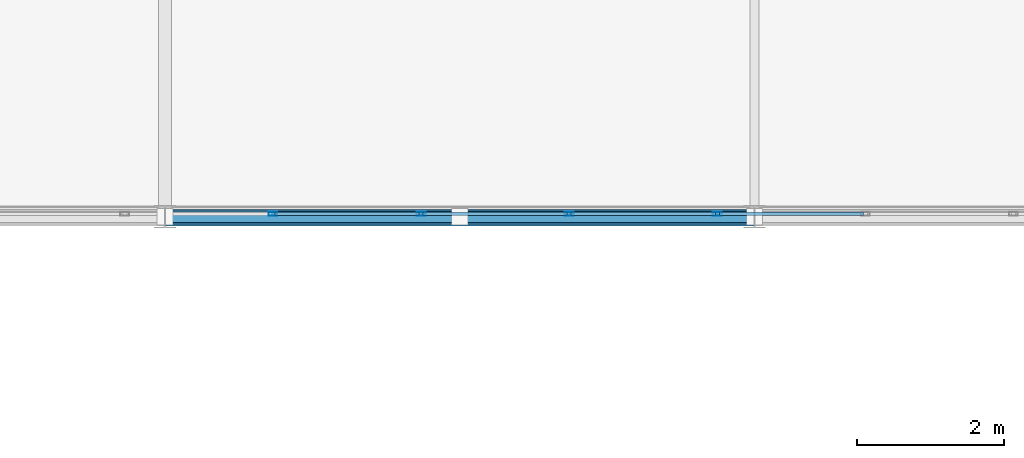
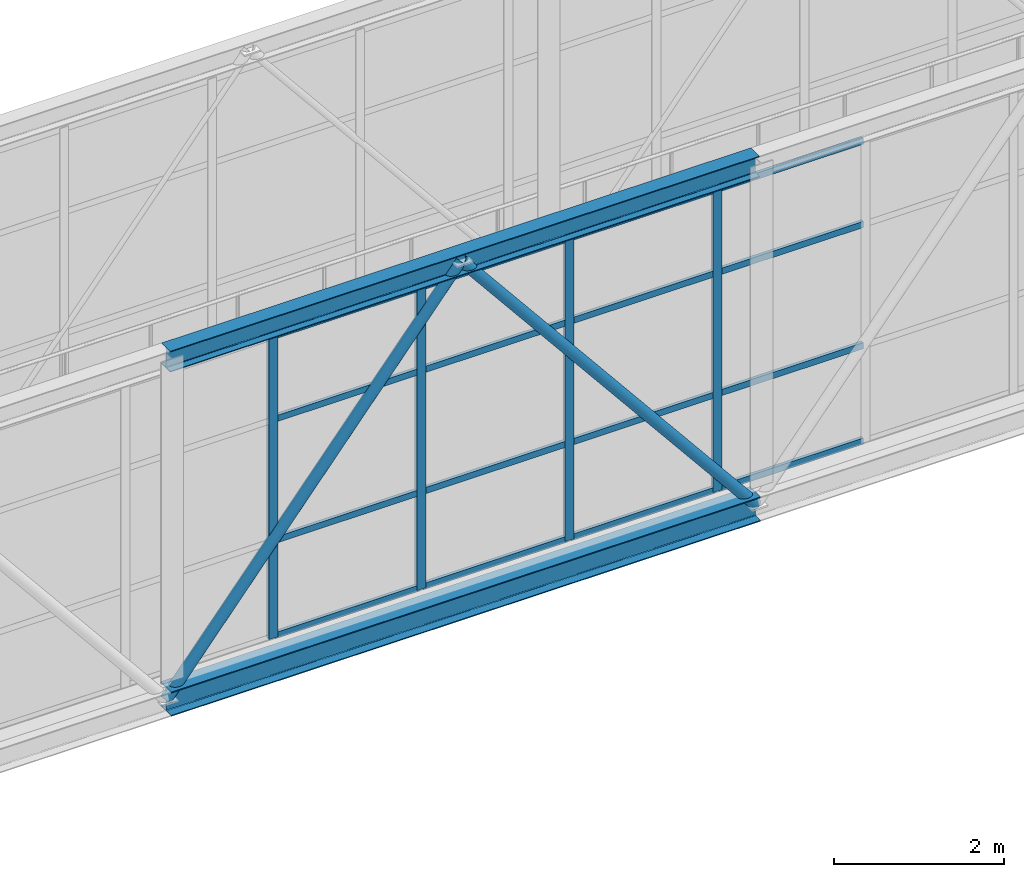
# One storey, part 89 of 248: 24 members, 1 element without a shape of its own.
"""IFC4 building model written with IfcOpenShell, lengths in metres."""

import ifcopenshell
import ifcopenshell.guid

model = None  # the IFC model being written
_history = None  # IfcOwnerHistory: only IFC2X3 demands one
_inside = {}  # id of a spatial element -> (the spatial element, [elements in it])
_under = {}  # id of a project, library or spatial element -> (it, [spatial elements below it])
_declared = {}  # id of a project -> (the project, [libraries it declares])
_typed = {}  # id of a type object -> (the type object, [elements of that type])
_made_of = {}  # id of a material, layer set ... -> (it, [elements and type objects made of it])


def new_model(schema):
    """Start an empty IFC model of exactly this schema.

    Asked for "IFC4X3", IfcOpenShell would pick the latest addendum, in which some entities
    have other attributes; the version numbers below select the first issue.
    IFC2X3 requires an IfcOwnerHistory on every rooted entity: one is made here for all.
    """
    global model, _history
    if schema == "IFC4X3":
        model = ifcopenshell.file(schema_version=(4, 3, 0, 0))
    else:
        model = ifcopenshell.file(schema=schema)
    _inside.clear()
    _under.clear()
    _declared.clear()
    _typed.clear()
    _made_of.clear()
    _history = None
    if model.schema == "IFC2X3":
        org = make("IfcOrganization", Name="unknown")
        user = make(
            "IfcPersonAndOrganization",
            ThePerson=make("IfcPerson", FamilyName="unknown"),
            TheOrganization=org,
        )
        app = make(
            "IfcApplication",
            ApplicationDeveloper=org,
            Version="unknown",
            ApplicationFullName="unknown",
            ApplicationIdentifier="unknown",
        )
        _history = make(
            "IfcOwnerHistory",
            OwningUser=user,
            OwningApplication=app,
            ChangeAction="ADDED",
            CreationDate=0,
        )
    return model


def make(cls, **values):
    """One entity of the class cls with the attributes given. An attribute that is None is left unset."""
    return model.create_entity(
        cls, **{name: value for name, value in values.items() if value is not None}
    )


def rooted(cls, **values):
    """An entity with a GlobalId (a new one), such as an element, a storey or a relation."""
    return make(cls, GlobalId=ifcopenshell.guid.new(), OwnerHistory=_history, **values)


def si_unit(unit_type, name, prefix=None):
    """IfcSIUnit, for example si_unit("LENGTHUNIT", "METRE", prefix="MILLI")."""
    return make("IfcSIUnit", UnitType=unit_type, Prefix=prefix, Name=name)


def assignment(units):
    """IfcUnitAssignment: the units of a project."""
    return None if units is None else make("IfcUnitAssignment", Units=units)


def point(xyz):
    """IfcCartesianPoint."""
    return None if xyz is None else make("IfcCartesianPoint", Coordinates=xyz)


def direction(xyz):
    """IfcDirection."""
    return None if xyz is None else make("IfcDirection", DirectionRatios=xyz)


def frame(location, z_axis=None, x_axis=None):
    """IfcAxis2Placement3D, a coordinate frame: its origin and axes. An axis left out is left unset."""
    return make(
        "IfcAxis2Placement3D",
        Location=point(location),
        Axis=direction(z_axis),
        RefDirection=direction(x_axis),
    )


def frame_2d(location, x_axis=None):
    """IfcAxis2Placement2D, a coordinate frame in the plane: its origin and x axis."""
    return make(
        "IfcAxis2Placement2D", Location=point(location), RefDirection=direction(x_axis)
    )


def origin():
    """The frame at (0, 0, 0) with its axes left unset."""
    return frame((0.0, 0.0, 0.0))


def origin_2d():
    """The frame at (0, 0) in the plane with its x axis left unset."""
    return frame_2d((0.0, 0.0))


def place(relative_to, where):
    """IfcLocalPlacement: puts the frame where relative to a parent placement (None: the world)."""
    return make(
        "IfcLocalPlacement", PlacementRelTo=relative_to, RelativePlacement=where
    )


def context(
    kind, dimensions, precision=None, world=None, true_north=None, identifier=None
):
    """IfcGeometricRepresentationContext, for example the 3D "Model" context."""
    return make(
        "IfcGeometricRepresentationContext",
        ContextIdentifier=identifier,
        ContextType=kind,
        CoordinateSpaceDimension=dimensions,
        Precision=precision,
        WorldCoordinateSystem=world,
        TrueNorth=true_north,
    )


def subcontext(parent, identifier, kind, view, scale=None):
    """IfcGeometricRepresentationSubContext, for example "Body" below "Model"."""
    return make(
        "IfcGeometricRepresentationSubContext",
        ContextIdentifier=identifier,
        ContextType=kind,
        ParentContext=parent,
        TargetScale=scale,
        TargetView=view,
    )


def project(units=None, contexts=None):
    """IfcProject with its units and contexts."""
    return rooted(
        "IfcProject",
        Name="project",
        RepresentationContexts=contexts,
        UnitsInContext=assignment(units),
    )


def spatial(cls, under=None, at=None, **own):
    """A site, building, storey or space (cls), placed at a placement, below another one or the project."""
    s = rooted(cls, ObjectPlacement=at, **own)
    if under is not None:
        _under.setdefault(under.id(), (under, []))[1].append(s)
    return s


def profile(cls, at=None, kind="AREA", **sizes):
    """A parametric profile (cls). Its sizes go by their IFC names, for example OverallWidth=200.0."""
    return make(cls, ProfileType=kind, Position=at, **sizes)


def hollow_rectangle(**sizes):
    """IfcRectangleHollowProfileDef."""
    return profile("IfcRectangleHollowProfileDef", **sizes)


def hollow_circle(**sizes):
    """IfcCircleHollowProfileDef."""
    return profile("IfcCircleHollowProfileDef", **sizes)


def i_section(**sizes):
    """IfcIShapeProfileDef."""
    return profile("IfcIShapeProfileDef", **sizes)


def extrude(swept, where, along, depth):
    """IfcExtrudedAreaSolid: the profile swept, set in the frame where, extruded along a direction by depth."""
    return make(
        "IfcExtrudedAreaSolid",
        SweptArea=swept,
        Position=where,
        ExtrudedDirection=direction(along),
        Depth=depth,
    )


def shape(context_of_items, identifier, shape_type, items):
    """IfcShapeRepresentation: the items that make up one representation, for example the "Body"."""
    return make(
        "IfcShapeRepresentation",
        ContextOfItems=context_of_items,
        RepresentationIdentifier=identifier,
        RepresentationType=shape_type,
        Items=items,
    )


def material(Name=None, Category=None):
    """IfcMaterial."""
    return make("IfcMaterial", Name=Name, Category=Category)


def layer(
    of_material, thickness, ventilated=None, Name=None, Category=None, Priority=None
):
    """IfcMaterialLayer: one layer of a wall or slab, of a material (None: an air gap)."""
    return make(
        "IfcMaterialLayer",
        Material=of_material,
        LayerThickness=thickness,
        IsVentilated=ventilated,
        Name=Name,
        Category=Category,
        Priority=Priority,
    )


def layer_set(layers, Name=None):
    """IfcMaterialLayerSet."""
    return make("IfcMaterialLayerSet", MaterialLayers=layers, LayerSetName=Name)


def material_profile(
    of_material, cross_section, Name=None, Category=None, Priority=None
):
    """IfcMaterialProfile: a cross section and its material."""
    return make(
        "IfcMaterialProfile",
        Name=Name,
        Material=of_material,
        Profile=cross_section,
        Priority=Priority,
        Category=Category,
    )


def profile_set(profiles, Name=None, composite=None):
    """IfcMaterialProfileSet."""
    return make(
        "IfcMaterialProfileSet",
        Name=Name,
        MaterialProfiles=profiles,
        CompositeProfile=composite,
    )


def made_of(thing, what):
    """Note that an element or type object is made of a material, layer set ...; save() writes the relation."""
    if what is not None:
        _made_of.setdefault(what.id(), (what, []))[1].append(thing)
    return thing


def type_object(cls, material=None, **own):
    """A type object (cls), such as IfcWallType, which elements share."""
    return made_of(rooted(cls, **own), material)


def element(
    cls,
    number,
    at=None,
    inside=None,
    cuts=None,
    type_object=None,
    material=None,
    context=None,
    identifier="Body",
    shape_type=None,
    held_by="IfcProductDefinitionShape",
    body=None,
    shapes=None,
    **own,
):
    """One element of the class cls, such as IfcWall. Its Tag is "e" and its number.

    at: its placement. inside: the storey or other place that contains it. cuts: it is an
    opening in that element (IfcRelVoidsElement). A single representation is given by context,
    identifier, shape_type and body (its items); several are given by shapes. held_by: the class
    of the entity that holds the representations. save() writes the other relations.
    """
    e = rooted(cls, Tag="e%d" % number, ObjectPlacement=at, **own)
    if body is not None:
        shapes = [shape(context, identifier, shape_type, body)]
    if shapes is not None:
        e.Representation = make(held_by, Representations=shapes)
    if inside is not None:
        _inside.setdefault(inside.id(), (inside, []))[1].append(e)
    if cuts is not None:
        rooted(
            "IfcRelVoidsElement", RelatingBuildingElement=cuts, RelatedOpeningElement=e
        )
    if type_object is not None:
        _typed.setdefault(type_object.id(), (type_object, []))[1].append(e)
    return made_of(e, material)


def aggregate(whole, parts):
    """IfcRelAggregates: a whole, such as a stair, and the parts it consists of."""
    return rooted("IfcRelAggregates", RelatingObject=whole, RelatedObjects=parts)


def save(model, path):
    """Write the relations noted so far, then the file.

    IfcRelAggregates (storeys below a building ...), IfcRelContainedInSpatialStructure (elements
    in a storey), IfcRelDefinesByType, IfcRelAssociatesMaterial and IfcRelDeclares: one each for
    every whole, place, type object, material and project.
    """
    for whole, parts in _under.values():
        aggregate(whole, parts)
    for where, things in _inside.values():
        rooted(
            "IfcRelContainedInSpatialStructure",
            RelatedElements=things,
            RelatingStructure=where,
        )
    for kind, things in _typed.values():
        rooted("IfcRelDefinesByType", RelatedObjects=things, RelatingType=kind)
    for what, things in _made_of.values():
        rooted("IfcRelAssociatesMaterial", RelatedObjects=things, RelatingMaterial=what)
    for by, libraries in _declared.values():
        rooted("IfcRelDeclares", RelatingContext=by, RelatedDefinitions=libraries)
    model.write(path)


model = new_model("IFC4")

# Units and contexts
model_context = context("Model", 3, precision=1e-05, world=origin(), true_north=direction((0.0, 1.0)))
body_context = subcontext(model_context, "Body", "Model", "MODEL_VIEW")
ifc_project = project(units=[si_unit("LENGTHUNIT", "METRE"), si_unit("AREAUNIT", "SQUARE_METRE"), si_unit("VOLUMEUNIT", "CUBIC_METRE"), si_unit("PLANEANGLEUNIT", "RADIAN"), si_unit("MASSUNIT", "GRAM", prefix="KILO")], contexts=[model_context])

# Site, building, storey
site_placement = place(None, origin())
site = spatial("IfcSite", under=ifc_project, at=site_placement, CompositionType="ELEMENT")
building_placement = place(site_placement, origin())
building = spatial("IfcBuilding", under=site, at=building_placement, Name="Canggui Botanical Conservatory", CompositionType="ELEMENT")
storey_placement = place(building_placement, frame((0.0, 0.0, 5.39990234375)))
storey = spatial("IfcBuildingStorey", under=building, at=storey_placement, Name="L02", CompositionType="ELEMENT", Elevation=5.39990234375)

# Curtain wall, members
ifc_material_1 = material(Name="Thermally Broken Aluminium", Category="aluminium")
ifc_layer = layer(ifc_material_1, 0.1201171875, Name="Thermally Broken Aluminium", Category="aluminium")
ifc_layer_set = layer_set([ifc_layer], Name="Thermally Broken Aluminium")
curtain_wall_type = type_object("IfcCurtainWallType", Name="CW-STICK-B", PredefinedType="USERDEFINED", material=ifc_layer_set)
curtain_wall_placement = place(storey_placement, origin())
curtain_wall = element("IfcCurtainWall", 1, at=curtain_wall_placement, inside=storey, type_object=curtain_wall_type, Name="Facade Curtain Wall CW-SB-01-1", ObjectType="STICK GLAZED WALL", PredefinedType="USERDEFINED")
ifc_material_profile_1 = material_profile(ifc_material_1, hollow_rectangle(XDim=0.054931640625, YDim=0.1201171875, WallThickness=0.0029296875, at=origin_2d()), Name="CWM 55x120x3")
ifc_profile_set_1 = profile_set([ifc_material_profile_1], Name="Thermally Broken Aluminium")
member_type_1 = type_object("IfcMemberType", Name="CWM-05", PredefinedType="MULLION", material=ifc_profile_set_1)
member_1_placement = place(storey_placement, frame((90.966064453125, 26.0400390625, 0.0), z_axis=(0.0, 0.0, 1.0), x_axis=(0.0, 1.0, 0.0)))
member_1 = element("IfcMember", 2, at=member_1_placement, type_object=member_type_1, Name="CW-05 mullion 13", PredefinedType="MULLION", context=body_context, shape_type="SweptSolid", body=[
    extrude(hollow_rectangle(XDim=0.054931640625, YDim=0.1201171875, WallThickness=0.0029296875, at=origin_2d()), origin(), (0.0, 0.0, 1.0), 4.35009765625),
])
member_2_placement = place(storey_placement, frame((92.975830078125, 26.0400390625, 0.0), z_axis=(0.0, 0.0, 1.0), x_axis=(0.0, 1.0, 0.0)))
member_2 = element("IfcMember", 3, at=member_2_placement, type_object=member_type_1, Name="CW-05 mullion 14", PredefinedType="MULLION", context=body_context, shape_type="SweptSolid", body=[
    extrude(hollow_rectangle(XDim=0.054931640625, YDim=0.1201171875, WallThickness=0.0029296875, at=origin_2d()), origin(), (0.0, 0.0, 1.0), 4.35009765625),
])
member_3_placement = place(storey_placement, frame((94.985595703125, 26.0400390625, 0.0), z_axis=(0.0, 0.0, 1.0), x_axis=(0.0, 1.0, 0.0)))
member_3 = element("IfcMember", 4, at=member_3_placement, type_object=member_type_1, Name="CW-05 mullion 15", PredefinedType="MULLION", context=body_context, shape_type="SweptSolid", body=[
    extrude(hollow_rectangle(XDim=0.054931640625, YDim=0.1201171875, WallThickness=0.0029296875, at=origin_2d()), origin(), (0.0, 0.0, 1.0), 4.35009765625),
])
member_4_placement = place(storey_placement, frame((96.9951171875, 26.0400390625, 0.0), z_axis=(0.0, 0.0, 1.0), x_axis=(0.0, 1.0, 0.0)))
member_4 = element("IfcMember", 5, at=member_4_placement, type_object=member_type_1, Name="CW-05 mullion 16", PredefinedType="MULLION", context=body_context, shape_type="SweptSolid", body=[
    extrude(hollow_rectangle(XDim=0.054931640625, YDim=0.1201171875, WallThickness=0.0029296875, at=origin_2d()), origin(), (0.0, 0.0, 1.0), 4.35009765625),
])
ifc_material_profile_2 = material_profile(ifc_material_1, hollow_rectangle(XDim=0.044921875, YDim=0.090087890625, WallThickness=0.0029296875, at=origin_2d()), Name="CWT 45x90x3")
ifc_profile_set_2 = profile_set([ifc_material_profile_2], Name="Thermally Broken Aluminium")
member_type_2 = type_object("IfcMemberType", Name="CWT-05", PredefinedType="USERDEFINED", material=ifc_profile_set_2)
member_5_placement = place(storey_placement, frame((90.99365234375, 26.0400390625, 0.022705078125), z_axis=(1.0, 0.0, 0.0), x_axis=(0.0, 1.0, 0.0)))
member_5 = element("IfcMember", 6, at=member_5_placement, type_object=member_type_2, Name="CW-05 transom 13.1", ObjectType="TRANSOM", PredefinedType="USERDEFINED", context=body_context, shape_type="SweptSolid", body=[
    extrude(hollow_rectangle(XDim=0.044921875, YDim=0.090087890625, WallThickness=0.0029296875, at=origin_2d()), origin(), (0.0, 0.0, 1.0), 1.95458984375),
])
member_6_placement = place(storey_placement, frame((90.99365234375, 26.0400390625, 1.39208984375), z_axis=(1.0, 0.0, 0.0), x_axis=(0.0, 1.0, 0.0)))
member_6 = element("IfcMember", 7, at=member_6_placement, type_object=member_type_2, Name="CW-05 transom 13.2", ObjectType="TRANSOM", PredefinedType="USERDEFINED", context=body_context, shape_type="SweptSolid", body=[
    extrude(hollow_rectangle(XDim=0.044921875, YDim=0.090087890625, WallThickness=0.0029296875, at=origin_2d()), origin(), (0.0, 0.0, 1.0), 1.95458984375),
])
member_7_placement = place(storey_placement, frame((90.99365234375, 26.0400390625, 3.132080078125), z_axis=(1.0, 0.0, 0.0), x_axis=(0.0, 1.0, 0.0)))
member_7 = element("IfcMember", 8, at=member_7_placement, type_object=member_type_2, Name="CW-05 transom 13.3", ObjectType="TRANSOM", PredefinedType="USERDEFINED", context=body_context, shape_type="SweptSolid", body=[
    extrude(hollow_rectangle(XDim=0.044921875, YDim=0.090087890625, WallThickness=0.0029296875, at=origin_2d()), origin(), (0.0, 0.0, 1.0), 1.95458984375),
])
member_8_placement = place(storey_placement, frame((90.99365234375, 26.0400390625, 4.32763671875), z_axis=(1.0, 0.0, 0.0), x_axis=(0.0, 1.0, 0.0)))
member_8 = element("IfcMember", 9, at=member_8_placement, type_object=member_type_2, Name="CW-05 transom 13.4", ObjectType="TRANSOM", PredefinedType="USERDEFINED", context=body_context, shape_type="SweptSolid", body=[
    extrude(hollow_rectangle(XDim=0.044921875, YDim=0.090087890625, WallThickness=0.0029296875, at=origin_2d()), origin(), (0.0, 0.0, 1.0), 1.95458984375),
])
member_9_placement = place(storey_placement, frame((93.00341796875, 26.0400390625, 0.022705078125), z_axis=(1.0, 0.0, 0.0), x_axis=(0.0, 1.0, 0.0)))
member_9 = element("IfcMember", 10, at=member_9_placement, type_object=member_type_2, Name="CW-05 transom 14.1", ObjectType="TRANSOM", PredefinedType="USERDEFINED", context=body_context, shape_type="SweptSolid", body=[
    extrude(hollow_rectangle(XDim=0.044921875, YDim=0.090087890625, WallThickness=0.0029296875, at=origin_2d()), origin(), (0.0, 0.0, 1.0), 1.95458984375),
])
member_10_placement = place(storey_placement, frame((93.00341796875, 26.0400390625, 1.39208984375), z_axis=(1.0, 0.0, 0.0), x_axis=(0.0, 1.0, 0.0)))
member_10 = element("IfcMember", 11, at=member_10_placement, type_object=member_type_2, Name="CW-05 transom 14.2", ObjectType="TRANSOM", PredefinedType="USERDEFINED", context=body_context, shape_type="SweptSolid", body=[
    extrude(hollow_rectangle(XDim=0.044921875, YDim=0.090087890625, WallThickness=0.0029296875, at=origin_2d()), origin(), (0.0, 0.0, 1.0), 1.95458984375),
])
member_11_placement = place(storey_placement, frame((93.00341796875, 26.0400390625, 3.132080078125), z_axis=(1.0, 0.0, 0.0), x_axis=(0.0, 1.0, 0.0)))
member_11 = element("IfcMember", 12, at=member_11_placement, type_object=member_type_2, Name="CW-05 transom 14.3", ObjectType="TRANSOM", PredefinedType="USERDEFINED", context=body_context, shape_type="SweptSolid", body=[
    extrude(hollow_rectangle(XDim=0.044921875, YDim=0.090087890625, WallThickness=0.0029296875, at=origin_2d()), origin(), (0.0, 0.0, 1.0), 1.95458984375),
])
member_12_placement = place(storey_placement, frame((93.00341796875, 26.0400390625, 4.32763671875), z_axis=(1.0, 0.0, 0.0), x_axis=(0.0, 1.0, 0.0)))
member_12 = element("IfcMember", 13, at=member_12_placement, type_object=member_type_2, Name="CW-05 transom 14.4", ObjectType="TRANSOM", PredefinedType="USERDEFINED", context=body_context, shape_type="SweptSolid", body=[
    extrude(hollow_rectangle(XDim=0.044921875, YDim=0.090087890625, WallThickness=0.0029296875, at=origin_2d()), origin(), (0.0, 0.0, 1.0), 1.95458984375),
])
member_13_placement = place(storey_placement, frame((95.012939453125, 26.0400390625, 0.022705078125), z_axis=(1.0, 0.0, 0.0), x_axis=(0.0, 1.0, 0.0)))
member_13 = element("IfcMember", 14, at=member_13_placement, type_object=member_type_2, Name="CW-05 transom 15.1", ObjectType="TRANSOM", PredefinedType="USERDEFINED", context=body_context, shape_type="SweptSolid", body=[
    extrude(hollow_rectangle(XDim=0.044921875, YDim=0.090087890625, WallThickness=0.0029296875, at=origin_2d()), origin(), (0.0, 0.0, 1.0), 1.954833984375),
])
member_14_placement = place(storey_placement, frame((95.012939453125, 26.0400390625, 1.39208984375), z_axis=(1.0, 0.0, 0.0), x_axis=(0.0, 1.0, 0.0)))
member_14 = element("IfcMember", 15, at=member_14_placement, type_object=member_type_2, Name="CW-05 transom 15.2", ObjectType="TRANSOM", PredefinedType="USERDEFINED", context=body_context, shape_type="SweptSolid", body=[
    extrude(hollow_rectangle(XDim=0.044921875, YDim=0.090087890625, WallThickness=0.0029296875, at=origin_2d()), origin(), (0.0, 0.0, 1.0), 1.954833984375),
])
member_15_placement = place(storey_placement, frame((95.012939453125, 26.0400390625, 3.132080078125), z_axis=(1.0, 0.0, 0.0), x_axis=(0.0, 1.0, 0.0)))
member_15 = element("IfcMember", 16, at=member_15_placement, type_object=member_type_2, Name="CW-05 transom 15.3", ObjectType="TRANSOM", PredefinedType="USERDEFINED", context=body_context, shape_type="SweptSolid", body=[
    extrude(hollow_rectangle(XDim=0.044921875, YDim=0.090087890625, WallThickness=0.0029296875, at=origin_2d()), origin(), (0.0, 0.0, 1.0), 1.954833984375),
])
member_16_placement = place(storey_placement, frame((95.012939453125, 26.0400390625, 4.32763671875), z_axis=(1.0, 0.0, 0.0), x_axis=(0.0, 1.0, 0.0)))
member_16 = element("IfcMember", 17, at=member_16_placement, type_object=member_type_2, Name="CW-05 transom 15.4", ObjectType="TRANSOM", PredefinedType="USERDEFINED", context=body_context, shape_type="SweptSolid", body=[
    extrude(hollow_rectangle(XDim=0.044921875, YDim=0.090087890625, WallThickness=0.0029296875, at=origin_2d()), origin(), (0.0, 0.0, 1.0), 1.954833984375),
])
member_17_placement = place(storey_placement, frame((97.022705078125, 26.0400390625, 0.022705078125), z_axis=(1.0, 0.0, 0.0), x_axis=(0.0, 1.0, 0.0)))
member_17 = element("IfcMember", 18, at=member_17_placement, type_object=member_type_2, Name="CW-05 transom 16.1", ObjectType="TRANSOM", PredefinedType="USERDEFINED", context=body_context, shape_type="SweptSolid", body=[
    extrude(hollow_rectangle(XDim=0.044921875, YDim=0.090087890625, WallThickness=0.0029296875, at=origin_2d()), origin(), (0.0, 0.0, 1.0), 1.95458984375),
])
member_18_placement = place(storey_placement, frame((97.022705078125, 26.0400390625, 1.39208984375), z_axis=(1.0, 0.0, 0.0), x_axis=(0.0, 1.0, 0.0)))
member_18 = element("IfcMember", 19, at=member_18_placement, type_object=member_type_2, Name="CW-05 transom 16.2", ObjectType="TRANSOM", PredefinedType="USERDEFINED", context=body_context, shape_type="SweptSolid", body=[
    extrude(hollow_rectangle(XDim=0.044921875, YDim=0.090087890625, WallThickness=0.0029296875, at=origin_2d()), origin(), (0.0, 0.0, 1.0), 1.95458984375),
])
member_19_placement = place(storey_placement, frame((97.022705078125, 26.0400390625, 3.132080078125), z_axis=(1.0, 0.0, 0.0), x_axis=(0.0, 1.0, 0.0)))
member_19 = element("IfcMember", 20, at=member_19_placement, type_object=member_type_2, Name="CW-05 transom 16.3", ObjectType="TRANSOM", PredefinedType="USERDEFINED", context=body_context, shape_type="SweptSolid", body=[
    extrude(hollow_rectangle(XDim=0.044921875, YDim=0.090087890625, WallThickness=0.0029296875, at=origin_2d()), origin(), (0.0, 0.0, 1.0), 1.95458984375),
])
member_20_placement = place(storey_placement, frame((97.022705078125, 26.0400390625, 4.32763671875), z_axis=(1.0, 0.0, 0.0), x_axis=(0.0, 1.0, 0.0)))
member_20 = element("IfcMember", 21, at=member_20_placement, type_object=member_type_2, Name="CW-05 transom 16.4", ObjectType="TRANSOM", PredefinedType="USERDEFINED", context=body_context, shape_type="SweptSolid", body=[
    extrude(hollow_rectangle(XDim=0.044921875, YDim=0.090087890625, WallThickness=0.0029296875, at=origin_2d()), origin(), (0.0, 0.0, 1.0), 1.95458984375),
])
aggregate(curtain_wall, [member_1, member_2, member_3, member_4, member_5, member_6, member_7, member_8, member_9, member_10, member_11, member_12, member_13, member_14, member_15, member_16, member_17, member_18, member_19, member_20])

# Members
ifc_material_2 = material(Name="Steel Q355C", Category="steel")
ifc_material_profile_3 = material_profile(ifc_material_2, hollow_circle(Radius=0.075927734375, WallThickness=0.006103515625, at=origin_2d()), Name="CHS 152x6")
ifc_profile_set_3 = profile_set([ifc_material_profile_3], Name="Steel Q355C")
member_type_3 = type_object("IfcMemberType", Name="MEM-GSD04", PredefinedType="RAFTER", material=ifc_profile_set_3)
for number, where, z_axis, x_axis, name in (
    (22, (89.5, 26.0, -0.349853515625), (0.632384053133, 0.0, 0.774655026024), (0.0, 1.0, 0.0), "SB-01 Truss Web Rafter 1.4A"),
    (23, (93.5, 26.0, 4.550048828125), (0.632384053133, 0.0, -0.774655026024), (0.0, 1.0, 0.0), "SB-01 Truss Web Rafter 1.4B"),
):
    element("IfcMember", number, at=place(storey_placement, frame(where, z_axis=z_axis, x_axis=x_axis)), inside=storey, type_object=member_type_3, Name=name, PredefinedType="RAFTER", context=body_context, shape_type="SweptSolid", body=[
        extrude(hollow_circle(Radius=0.075927734375, WallThickness=0.006103515625, at=origin_2d()), origin(), (0.0, 0.0, 1.0), 6.3251953125),
    ])
ifc_material_3 = material(Name="Steel Q355B", Category="steel")
ifc_material_profile_4 = material_profile(ifc_material_3, i_section(OverallWidth=0.25, OverallDepth=0.35009765625, WebThickness=0.009033203125, FlangeThickness=0.013916015625, FilletRadius=0.02001953125, at=origin_2d()), Name="HM 350x250x9x14")
ifc_profile_set_4 = profile_set([ifc_material_profile_4], Name="Steel Q355B")
member_type_4 = type_object("IfcMemberType", Name="MEM-TC03", PredefinedType="CHORD", material=ifc_profile_set_4)
member_21_placement = place(storey_placement, frame((89.5, 26.0, -0.349853515625), z_axis=(1.0, 0.0, 0.0), x_axis=(0.0, 1.0, 0.0)))
element("IfcMember", 24, at=member_21_placement, inside=storey, type_object=member_type_4, Name="SB-01 Deck Truss Bottom Chord 1.4", PredefinedType="CHORD", context=body_context, shape_type="SweptSolid", body=[
    extrude(i_section(OverallWidth=0.25, OverallDepth=0.35009765625, WebThickness=0.009033203125, FlangeThickness=0.013916015625, FilletRadius=0.02001953125, at=origin_2d()), origin(), (0.0, 0.0, 1.0), 8.0),
])
ifc_material_profile_5 = material_profile(ifc_material_3, i_section(OverallWidth=0.199951171875, OverallDepth=0.300048828125, WebThickness=0.008056640625, FlangeThickness=0.011962890625, FilletRadius=0.01806640625, at=origin_2d()), Name="HM 300x200x8x12")
ifc_profile_set_5 = profile_set([ifc_material_profile_5], Name="Steel Q355B")
member_type_5 = type_object("IfcMemberType", Name="MEM-TC04", PredefinedType="CHORD", material=ifc_profile_set_5)
member_22_placement = place(storey_placement, frame((89.5, 26.0, 4.550048828125), z_axis=(1.0, 0.0, 0.0), x_axis=(0.0, 1.0, 0.0)))
element("IfcMember", 25, at=member_22_placement, inside=storey, type_object=member_type_5, Name="SB-01 Roof Truss Top Chord 1.4", PredefinedType="CHORD", context=body_context, shape_type="SweptSolid", body=[
    extrude(i_section(OverallWidth=0.199951171875, OverallDepth=0.300048828125, WebThickness=0.008056640625, FlangeThickness=0.011962890625, FilletRadius=0.01806640625, at=origin_2d()), origin(), (0.0, 0.0, 1.0), 8.0),
])

save(model, "model.ifc")
